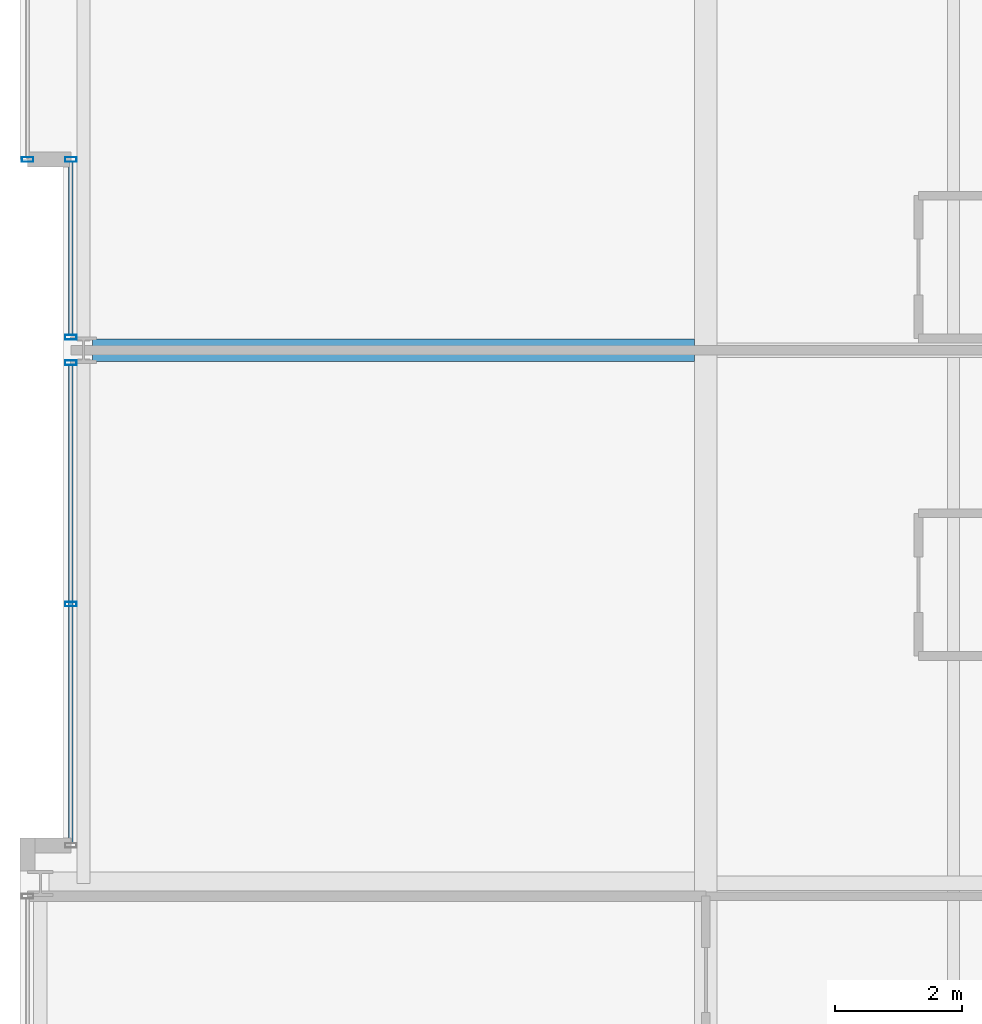
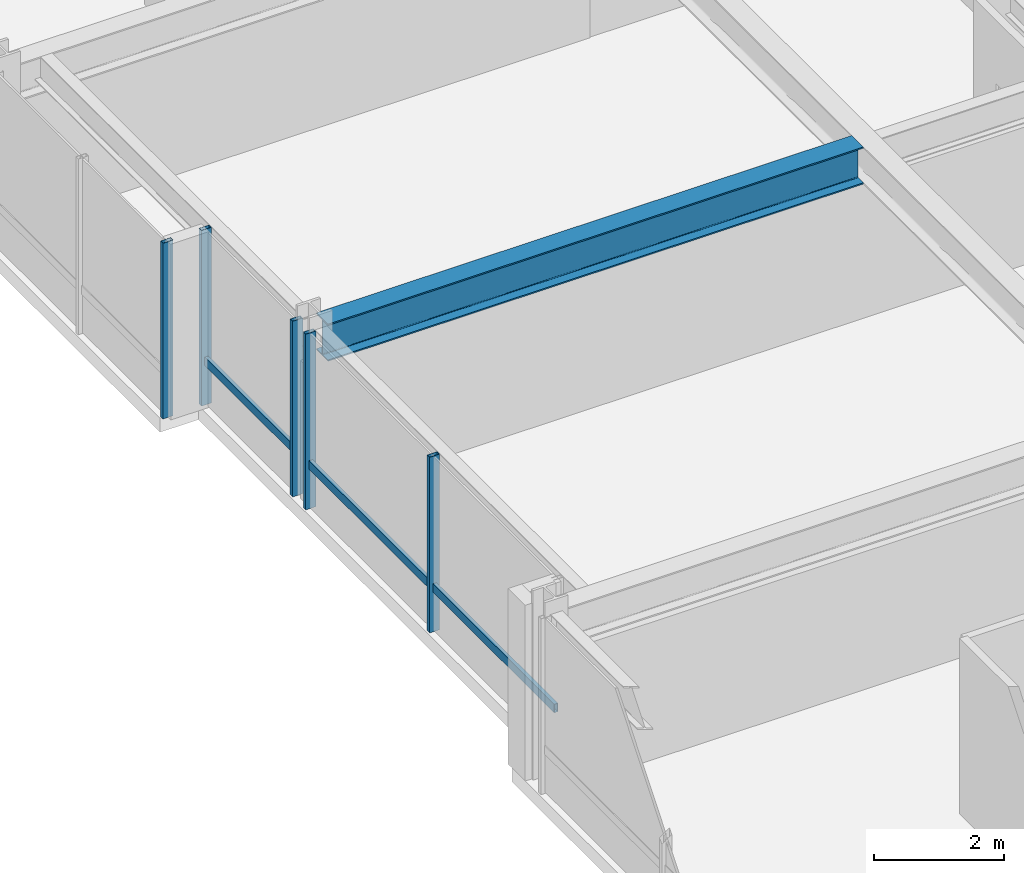
# One storey, part 9 of 32: 7 members, 1 beam, 3 elements without a shape of their own.
"""IFC4 building model written with IfcOpenShell, lengths in metres."""

import ifcopenshell
import ifcopenshell.guid

model = None  # the IFC model being written
_history = None  # IfcOwnerHistory: only IFC2X3 demands one
_inside = {}  # id of a spatial element -> (the spatial element, [elements in it])
_under = {}  # id of a project, library or spatial element -> (it, [spatial elements below it])
_declared = {}  # id of a project -> (the project, [libraries it declares])
_typed = {}  # id of a type object -> (the type object, [elements of that type])
_made_of = {}  # id of a material, layer set ... -> (it, [elements and type objects made of it])


def new_model(schema):
    """Start an empty IFC model of exactly this schema.

    Asked for "IFC4X3", IfcOpenShell would pick the latest addendum, in which some entities
    have other attributes; the version numbers below select the first issue.
    IFC2X3 requires an IfcOwnerHistory on every rooted entity: one is made here for all.
    """
    global model, _history
    if schema == "IFC4X3":
        model = ifcopenshell.file(schema_version=(4, 3, 0, 0))
    else:
        model = ifcopenshell.file(schema=schema)
    _inside.clear()
    _under.clear()
    _declared.clear()
    _typed.clear()
    _made_of.clear()
    _history = None
    if model.schema == "IFC2X3":
        org = make("IfcOrganization", Name="unknown")
        user = make(
            "IfcPersonAndOrganization",
            ThePerson=make("IfcPerson", FamilyName="unknown"),
            TheOrganization=org,
        )
        app = make(
            "IfcApplication",
            ApplicationDeveloper=org,
            Version="unknown",
            ApplicationFullName="unknown",
            ApplicationIdentifier="unknown",
        )
        _history = make(
            "IfcOwnerHistory",
            OwningUser=user,
            OwningApplication=app,
            ChangeAction="ADDED",
            CreationDate=0,
        )
    return model


def make(cls, **values):
    """One entity of the class cls with the attributes given. An attribute that is None is left unset."""
    return model.create_entity(
        cls, **{name: value for name, value in values.items() if value is not None}
    )


def rooted(cls, **values):
    """An entity with a GlobalId (a new one), such as an element, a storey or a relation."""
    return make(cls, GlobalId=ifcopenshell.guid.new(), OwnerHistory=_history, **values)


def si_unit(unit_type, name, prefix=None):
    """IfcSIUnit, for example si_unit("LENGTHUNIT", "METRE", prefix="MILLI")."""
    return make("IfcSIUnit", UnitType=unit_type, Prefix=prefix, Name=name)


def assignment(units):
    """IfcUnitAssignment: the units of a project."""
    return None if units is None else make("IfcUnitAssignment", Units=units)


def point(xyz):
    """IfcCartesianPoint."""
    return None if xyz is None else make("IfcCartesianPoint", Coordinates=xyz)


def direction(xyz):
    """IfcDirection."""
    return None if xyz is None else make("IfcDirection", DirectionRatios=xyz)


def frame(location, z_axis=None, x_axis=None):
    """IfcAxis2Placement3D, a coordinate frame: its origin and axes. An axis left out is left unset."""
    return make(
        "IfcAxis2Placement3D",
        Location=point(location),
        Axis=direction(z_axis),
        RefDirection=direction(x_axis),
    )


def frame_2d(location, x_axis=None):
    """IfcAxis2Placement2D, a coordinate frame in the plane: its origin and x axis."""
    return make(
        "IfcAxis2Placement2D", Location=point(location), RefDirection=direction(x_axis)
    )


def origin():
    """The frame at (0, 0, 0) with its axes left unset."""
    return frame((0.0, 0.0, 0.0))


def origin_2d():
    """The frame at (0, 0) in the plane with its x axis left unset."""
    return frame_2d((0.0, 0.0))


def place(relative_to, where):
    """IfcLocalPlacement: puts the frame where relative to a parent placement (None: the world)."""
    return make(
        "IfcLocalPlacement", PlacementRelTo=relative_to, RelativePlacement=where
    )


def context(
    kind, dimensions, precision=None, world=None, true_north=None, identifier=None
):
    """IfcGeometricRepresentationContext, for example the 3D "Model" context."""
    return make(
        "IfcGeometricRepresentationContext",
        ContextIdentifier=identifier,
        ContextType=kind,
        CoordinateSpaceDimension=dimensions,
        Precision=precision,
        WorldCoordinateSystem=world,
        TrueNorth=true_north,
    )


def subcontext(parent, identifier, kind, view, scale=None):
    """IfcGeometricRepresentationSubContext, for example "Body" below "Model"."""
    return make(
        "IfcGeometricRepresentationSubContext",
        ContextIdentifier=identifier,
        ContextType=kind,
        ParentContext=parent,
        TargetScale=scale,
        TargetView=view,
    )


def project(units=None, contexts=None):
    """IfcProject with its units and contexts."""
    return rooted(
        "IfcProject",
        Name="project",
        RepresentationContexts=contexts,
        UnitsInContext=assignment(units),
    )


def spatial(cls, under=None, at=None, **own):
    """A site, building, storey or space (cls), placed at a placement, below another one or the project."""
    s = rooted(cls, ObjectPlacement=at, **own)
    if under is not None:
        _under.setdefault(under.id(), (under, []))[1].append(s)
    return s


def profile(cls, at=None, kind="AREA", **sizes):
    """A parametric profile (cls). Its sizes go by their IFC names, for example OverallWidth=200.0."""
    return make(cls, ProfileType=kind, Position=at, **sizes)


def hollow_rectangle(**sizes):
    """IfcRectangleHollowProfileDef."""
    return profile("IfcRectangleHollowProfileDef", **sizes)


def i_section(**sizes):
    """IfcIShapeProfileDef."""
    return profile("IfcIShapeProfileDef", **sizes)


def extrude(swept, where, along, depth):
    """IfcExtrudedAreaSolid: the profile swept, set in the frame where, extruded along a direction by depth."""
    return make(
        "IfcExtrudedAreaSolid",
        SweptArea=swept,
        Position=where,
        ExtrudedDirection=direction(along),
        Depth=depth,
    )


def shape(context_of_items, identifier, shape_type, items):
    """IfcShapeRepresentation: the items that make up one representation, for example the "Body"."""
    return make(
        "IfcShapeRepresentation",
        ContextOfItems=context_of_items,
        RepresentationIdentifier=identifier,
        RepresentationType=shape_type,
        Items=items,
    )


def material(Name=None, Category=None):
    """IfcMaterial."""
    return make("IfcMaterial", Name=Name, Category=Category)


def layer(
    of_material, thickness, ventilated=None, Name=None, Category=None, Priority=None
):
    """IfcMaterialLayer: one layer of a wall or slab, of a material (None: an air gap)."""
    return make(
        "IfcMaterialLayer",
        Material=of_material,
        LayerThickness=thickness,
        IsVentilated=ventilated,
        Name=Name,
        Category=Category,
        Priority=Priority,
    )


def layer_set(layers, Name=None):
    """IfcMaterialLayerSet."""
    return make("IfcMaterialLayerSet", MaterialLayers=layers, LayerSetName=Name)


def material_profile(
    of_material, cross_section, Name=None, Category=None, Priority=None
):
    """IfcMaterialProfile: a cross section and its material."""
    return make(
        "IfcMaterialProfile",
        Name=Name,
        Material=of_material,
        Profile=cross_section,
        Priority=Priority,
        Category=Category,
    )


def profile_set(profiles, Name=None, composite=None):
    """IfcMaterialProfileSet."""
    return make(
        "IfcMaterialProfileSet",
        Name=Name,
        MaterialProfiles=profiles,
        CompositeProfile=composite,
    )


def made_of(thing, what):
    """Note that an element or type object is made of a material, layer set ...; save() writes the relation."""
    if what is not None:
        _made_of.setdefault(what.id(), (what, []))[1].append(thing)
    return thing


def type_object(cls, material=None, **own):
    """A type object (cls), such as IfcWallType, which elements share."""
    return made_of(rooted(cls, **own), material)


def element(
    cls,
    number,
    at=None,
    inside=None,
    cuts=None,
    type_object=None,
    material=None,
    context=None,
    identifier="Body",
    shape_type=None,
    held_by="IfcProductDefinitionShape",
    body=None,
    shapes=None,
    **own,
):
    """One element of the class cls, such as IfcWall. Its Tag is "e" and its number.

    at: its placement. inside: the storey or other place that contains it. cuts: it is an
    opening in that element (IfcRelVoidsElement). A single representation is given by context,
    identifier, shape_type and body (its items); several are given by shapes. held_by: the class
    of the entity that holds the representations. save() writes the other relations.
    """
    e = rooted(cls, Tag="e%d" % number, ObjectPlacement=at, **own)
    if body is not None:
        shapes = [shape(context, identifier, shape_type, body)]
    if shapes is not None:
        e.Representation = make(held_by, Representations=shapes)
    if inside is not None:
        _inside.setdefault(inside.id(), (inside, []))[1].append(e)
    if cuts is not None:
        rooted(
            "IfcRelVoidsElement", RelatingBuildingElement=cuts, RelatedOpeningElement=e
        )
    if type_object is not None:
        _typed.setdefault(type_object.id(), (type_object, []))[1].append(e)
    return made_of(e, material)


def aggregate(whole, parts):
    """IfcRelAggregates: a whole, such as a stair, and the parts it consists of."""
    return rooted("IfcRelAggregates", RelatingObject=whole, RelatedObjects=parts)


def save(model, path):
    """Write the relations noted so far, then the file.

    IfcRelAggregates (storeys below a building ...), IfcRelContainedInSpatialStructure (elements
    in a storey), IfcRelDefinesByType, IfcRelAssociatesMaterial and IfcRelDeclares: one each for
    every whole, place, type object, material and project.
    """
    for whole, parts in _under.values():
        aggregate(whole, parts)
    for where, things in _inside.values():
        rooted(
            "IfcRelContainedInSpatialStructure",
            RelatedElements=things,
            RelatingStructure=where,
        )
    for kind, things in _typed.values():
        rooted("IfcRelDefinesByType", RelatedObjects=things, RelatingType=kind)
    for what, things in _made_of.values():
        rooted("IfcRelAssociatesMaterial", RelatedObjects=things, RelatingMaterial=what)
    for by, libraries in _declared.values():
        rooted("IfcRelDeclares", RelatingContext=by, RelatedDefinitions=libraries)
    model.write(path)


model = new_model("IFC4")

# Units and contexts
model_context = context("Model", 3, precision=1e-05, world=origin(), true_north=direction((0.0, 1.0)))
body_context = subcontext(model_context, "Body", "Model", "MODEL_VIEW")
ifc_project = project(units=[si_unit("LENGTHUNIT", "METRE"), si_unit("AREAUNIT", "SQUARE_METRE"), si_unit("VOLUMEUNIT", "CUBIC_METRE"), si_unit("PLANEANGLEUNIT", "RADIAN"), si_unit("MASSUNIT", "GRAM", prefix="KILO")], contexts=[model_context])

# Site, building, storey
site_placement = place(None, origin())
site = spatial("IfcSite", under=ifc_project, at=site_placement, CompositionType="ELEMENT")
building_placement = place(site_placement, origin())
building = spatial("IfcBuilding", under=site, at=building_placement, Name="Drelvath Grand Hotel", CompositionType="ELEMENT")
storey_placement = place(building_placement, frame((0.0, 0.0, 150.39990234375)))
storey = spatial("IfcBuildingStorey", under=building, at=storey_placement, Name="L38", CompositionType="ELEMENT", Elevation=150.39990234375)

# Curtain wall, member
ifc_material_1 = material(Name="Brushed Pale-Silver Anodised Aluminium Frame", Category="aluminium")
ifc_layer = layer(ifc_material_1, 0.199951171875)
ifc_layer_set = layer_set([ifc_layer], Name="Brushed Pale-Silver Anodised Aluminium Frame")
curtain_wall_type = type_object("IfcCurtainWallType", Name="Stick Curtain Wall CW-04 Brushed Silver Upper-Mid", PredefinedType="NOTDEFINED", material=ifc_layer_set)
curtain_wall_1_placement = place(storey_placement, origin())
curtain_wall_1 = element("IfcCurtainWall", 1, at=curtain_wall_1_placement, inside=storey, type_object=curtain_wall_type, Name="L38 CW-04 Curtain Wall CW04-L38-WM1", PredefinedType="NOTDEFINED")
ifc_material_profile_1 = material_profile(ifc_material_1, hollow_rectangle(XDim=0.06494140625, YDim=0.159912109375, WallThickness=0.00390625, at=origin_2d()), Name="HSS160X65X4")
ifc_profile_set_1 = profile_set([ifc_material_profile_1], Name="Brushed Pale-Silver Anodised Aluminium Frame")
member_type_1 = type_object("IfcMemberType", Name="Curtain Wall Horizontal Transom CW-04 HSS160X65X4", PredefinedType="USERDEFINED", material=ifc_profile_set_1)
member_1_placement = place(storey_placement, frame((-26.199951171875, 19.239990234375, 0.822509765625), z_axis=(0.0, 1.0, 0.0), x_axis=(-1.0, 0.0, 0.0)))
member_1 = element("IfcMember", 2, at=member_1_placement, type_object=member_type_1, Name="CW04-L38-WM1 Sill Transom", ObjectType="TRANSOM", PredefinedType="USERDEFINED", context=body_context, shape_type="SweptSolid", body=[
    extrude(hollow_rectangle(XDim=0.06494140625, YDim=0.159912109375, WallThickness=0.00390625, at=origin_2d()), origin(), (0.0, 0.0, 1.0), 7.52001953125),
])

curtain_wall_2_placement = place(storey_placement, origin())
curtain_wall_2 = element("IfcCurtainWall", 3, at=curtain_wall_2_placement, inside=storey, type_object=curtain_wall_type, Name="L38 CW-04 Curtain Wall CW04-L38-WM2", PredefinedType="NOTDEFINED")
member_2_placement = place(storey_placement, frame((-26.199951171875, 27.239990234375, 0.822509765625), z_axis=(0.0, 1.0, 0.0), x_axis=(-1.0, 0.0, 0.0)))
member_2 = element("IfcMember", 4, at=member_2_placement, type_object=member_type_1, Name="CW04-L38-WM2 Sill Transom", ObjectType="TRANSOM", PredefinedType="USERDEFINED", context=body_context, shape_type="SweptSolid", body=[
    extrude(hollow_rectangle(XDim=0.06494140625, YDim=0.159912109375, WallThickness=0.00390625, at=origin_2d()), origin(), (0.0, 0.0, 1.0), 2.719970703125),
])

# Member
ifc_material_profile_2 = material_profile(ifc_material_1, hollow_rectangle(XDim=0.074951171875, YDim=0.179931640625, WallThickness=0.0048828125, at=origin_2d()), Name="HSS180X75X5")
ifc_profile_set_2 = profile_set([ifc_material_profile_2], Name="Brushed Pale-Silver Anodised Aluminium Frame")
member_type_2 = type_object("IfcMemberType", Name="Curtain Wall Vertical Mullion CW-04 HSS180X75X5", PredefinedType="MULLION", material=ifc_profile_set_2)
member_3_placement = place(storey_placement, frame((-26.199951171875, 23.0, 0.0), z_axis=(0.0, 0.0, 1.0), x_axis=(0.0, 1.0, 0.0)))
member_3 = element("IfcMember", 5, at=member_3_placement, type_object=member_type_2, Name="CW04-L38-WM1 Mullion 2", PredefinedType="MULLION", context=body_context, shape_type="SweptSolid", body=[
    extrude(hollow_rectangle(XDim=0.074951171875, YDim=0.179931640625, WallThickness=0.0048828125, at=origin_2d()), origin(), (0.0, 0.0, 1.0), 3.2900390625),
])

member_4_placement = place(storey_placement, frame((-26.199951171875, 26.7998046875, 0.0), z_axis=(0.0, 0.0, 1.0), x_axis=(0.0, 1.0, 0.0)))
member_4 = element("IfcMember", 6, at=member_4_placement, type_object=member_type_2, Name="CW04-L38-WM1 Mullion 3", PredefinedType="MULLION", context=body_context, shape_type="SweptSolid", body=[
    extrude(hollow_rectangle(XDim=0.074951171875, YDim=0.179931640625, WallThickness=0.0048828125, at=origin_2d()), origin(), (0.0, 0.0, 1.0), 3.2900390625),
])

aggregate(curtain_wall_1, [member_3, member_4, member_1])

member_5_placement = place(storey_placement, frame((-26.199951171875, 27.2001953125, 0.0), z_axis=(0.0, 0.0, 1.0), x_axis=(0.0, 1.0, 0.0)))
member_5 = element("IfcMember", 7, at=member_5_placement, type_object=member_type_2, Name="CW04-L38-WM2 Mullion 1", PredefinedType="MULLION", context=body_context, shape_type="SweptSolid", body=[
    extrude(hollow_rectangle(XDim=0.074951171875, YDim=0.179931640625, WallThickness=0.0048828125, at=origin_2d()), origin(), (0.0, 0.0, 1.0), 3.2900390625),
])

member_6_placement = place(storey_placement, frame((-26.199951171875, 30.0, 0.0), z_axis=(0.0, 0.0, 1.0), x_axis=(0.0, 1.0, 0.0)))
member_6 = element("IfcMember", 8, at=member_6_placement, type_object=member_type_2, Name="CW04-L38-WM2 Mullion 2", PredefinedType="MULLION", context=body_context, shape_type="SweptSolid", body=[
    extrude(hollow_rectangle(XDim=0.074951171875, YDim=0.179931640625, WallThickness=0.0048828125, at=origin_2d()), origin(), (0.0, 0.0, 1.0), 3.2900390625),
])

aggregate(curtain_wall_2, [member_5, member_6, member_2])

# Curtain wall, member
curtain_wall_3_placement = place(storey_placement, origin())
curtain_wall_3 = element("IfcCurtainWall", 9, at=curtain_wall_3_placement, inside=storey, type_object=curtain_wall_type, Name="L38 CW-04 Curtain Wall CW04-L38-WN1", PredefinedType="NOTDEFINED")
member_7_placement = place(storey_placement, frame((-26.8798828125, 30.0, 0.0), z_axis=(0.0, 0.0, 1.0), x_axis=(0.0, 1.0, 0.0)))
member_7 = element("IfcMember", 10, at=member_7_placement, type_object=member_type_2, Name="CW04-L38-WN1 Mullion 1", PredefinedType="MULLION", context=body_context, shape_type="SweptSolid", body=[
    extrude(hollow_rectangle(XDim=0.074951171875, YDim=0.179931640625, WallThickness=0.0048828125, at=origin_2d()), origin(), (0.0, 0.0, 1.0), 3.2900390625),
])
aggregate(curtain_wall_3, [member_7])

# Beam
ifc_material_2 = material(Name="Steel ASTM A992 Gr 50", Category="steel")
ifc_material_profile_3 = material_profile(ifc_material_2, i_section(OverallWidth=0.354736328125, OverallDepth=0.695556640625, WebThickness=0.015380859375, FlangeThickness=0.025146484375, FilletRadius=0.02392578125, at=origin_2d()), Name="W27X146")
ifc_profile_set_3 = profile_set([ifc_material_profile_3], Name="Steel ASTM A992 Gr 50")
beam_type = type_object("IfcBeamType", Name="Primary Floor Girder W27X146", PredefinedType="BEAM", material=ifc_profile_set_3)
beam_placement = place(storey_placement, frame((-25.860107421875, 27.0, 2.9423828125), z_axis=(1.0, 0.0, 0.0), x_axis=(0.0, 1.0, 0.0)))
element("IfcBeam", 11, at=beam_placement, inside=storey, type_object=beam_type, Name="L38 West Wing Girder E", PredefinedType="BEAM", context=body_context, shape_type="SweptSolid", body=[
    extrude(i_section(OverallWidth=0.354736328125, OverallDepth=0.695556640625, WebThickness=0.015380859375, FlangeThickness=0.025146484375, FilletRadius=0.02392578125, at=origin_2d()), origin(), (0.0, 0.0, 1.0), 9.482666015625),
])

save(model, "model.ifc")
